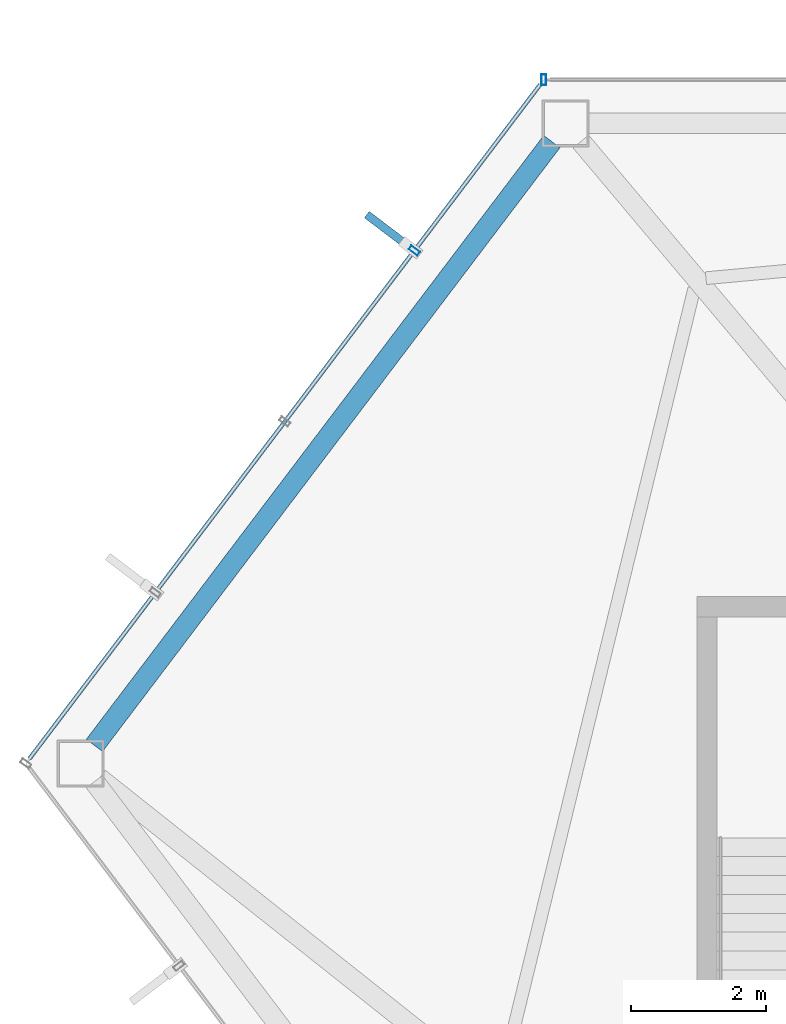
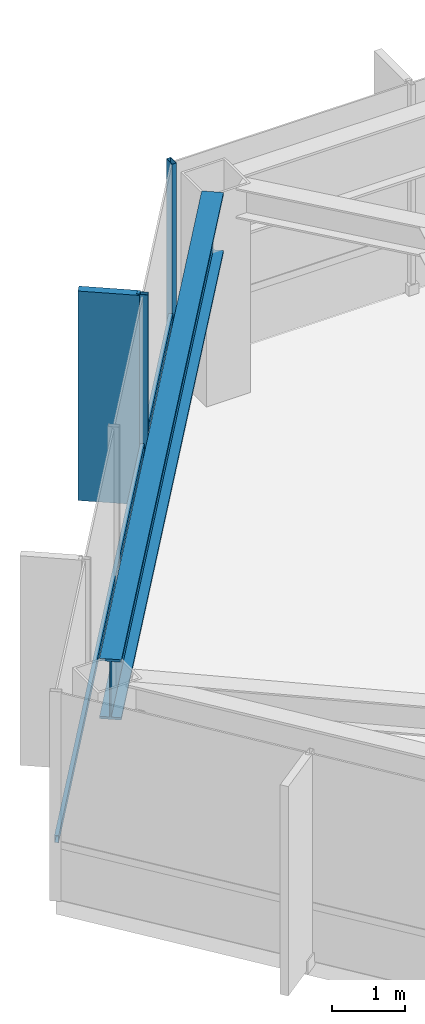
# One storey, part 11 of 27: 4 members, 1 beam, 2 elements without a shape of their own.
"""IFC4 building model written with IfcOpenShell, lengths in metres."""

from ifc_helpers import new_model, si_unit, direction, frame, origin, origin_2d, place, context, subcontext, project, spatial, rectangle, hollow_rectangle, i_section, extrude, material, layer, layer_set, material_profile, profile_set, type_object, element, aggregate, save


model = new_model("IFC4")

# Units and contexts
model_context = context("Model", 3, precision=1e-05, world=origin(), true_north=direction((0.0, 1.0)))
body_context = subcontext(model_context, "Body", "Model", "MODEL_VIEW")
ifc_project = project(units=[si_unit("LENGTHUNIT", "METRE"), si_unit("AREAUNIT", "SQUARE_METRE"), si_unit("VOLUMEUNIT", "CUBIC_METRE"), si_unit("PLANEANGLEUNIT", "RADIAN"), si_unit("MASSUNIT", "GRAM", prefix="KILO")], contexts=[model_context])

# Site, building, storey
site_placement = place(None, origin())
site = spatial("IfcSite", under=ifc_project, at=site_placement, CompositionType="ELEMENT")
building_placement = place(site_placement, origin())
building = spatial("IfcBuilding", under=site, at=building_placement, Name="Zarrinselat Tower", CompositionType="ELEMENT")
storey_placement = place(building_placement, frame((0.0, 0.0, 175.780029296875)))
storey = spatial("IfcBuildingStorey", under=building, at=storey_placement, Name="L43", CompositionType="ELEMENT", Elevation=175.780029296875)

# Beam
ifc_material_1 = material(Name="Steel S460M", Category="steel")
ifc_material_profile_1 = material_profile(ifc_material_1, i_section(OverallWidth=0.302001953125, OverallDepth=1.008056640625, WebThickness=0.02099609375, FlangeThickness=0.0400390625, at=origin_2d()), Name="HEM 1000")
ifc_profile_set_1 = profile_set([ifc_material_profile_1], Name="Steel S460M")
beam_type = type_object("IfcBeamType", Name="BM-HEM1000", PredefinedType="BEAM", material=ifc_profile_set_1)
beam_placement = place(storey_placement, frame((16.1396484375, 38.841064453125, 2.995849609375), z_axis=(0.60385308905, 0.797095632183, 0.0), x_axis=(-0.797095632183, 0.60385308905, 0.0)))
element("IfcBeam", 1, at=beam_placement, inside=storey, type_object=beam_type, Name="L43 Perimeter Spandrel Girder SP05", PredefinedType="BEAM", context=body_context, shape_type="SweptSolid", body=[
    extrude(i_section(OverallWidth=0.302001953125, OverallDepth=1.008056640625, WebThickness=0.02099609375, FlangeThickness=0.0400390625, at=origin_2d()), origin(), (0.0, 0.0, 1.0), 11.242919921875),
])

# Curtain wall, member
ifc_material_2 = material(Name="Extruded Aluminium Alloy EN AW-6063 T6", Category="aluminium")
ifc_layer = layer(ifc_material_2, 0.175048828125)
ifc_layer_set = layer_set([ifc_layer], Name="Extruded Aluminium Alloy EN AW-6063 T6")
curtain_wall_type = type_object("IfcCurtainWallType", Name="CWS-HTL", PredefinedType="NOTDEFINED", material=ifc_layer_set)
curtain_wall_1_placement = place(storey_placement, origin())
curtain_wall_1 = element("IfcCurtainWall", 2, at=curtain_wall_1_placement, inside=storey, type_object=curtain_wall_type, Name="L43 Unitised Curtain Wall CW-L43-E01", PredefinedType="NOTDEFINED")
ifc_material_3 = material(Name="Extruded Aluminium Alloy EN AW-6063 T6", Category="aluminium")
ifc_material_profile_2 = material_profile(ifc_material_3, hollow_rectangle(XDim=0.070068359375, YDim=0.159912109375, WallThickness=0.00390625, at=origin_2d()), Name="RHS 160x70x4")
ifc_profile_set_2 = profile_set([ifc_material_profile_2], Name="Extruded Aluminium Alloy EN AW-6063 T6")
member_type_1 = type_object("IfcMemberType", Name="MEM-CW-MUL2", PredefinedType="MULLION", material=ifc_profile_set_2)
member_1_placement = place(storey_placement, frame((22.809814453125, 48.72216796875, 0.0), z_axis=(0.0, 0.0, 1.0), x_axis=(-1.0, 0.0, 0.0)))
member_1 = element("IfcMember", 3, at=member_1_placement, type_object=member_type_1, Name="CW-L43-E01 Mullion 10", PredefinedType="MULLION", context=body_context, shape_type="SweptSolid", body=[
    extrude(hollow_rectangle(XDim=0.070068359375, YDim=0.159912109375, WallThickness=0.00390625, at=origin_2d()), origin(), (0.0, 0.0, 1.0), 3.5),
])
aggregate(curtain_wall_1, [member_1])

# Curtain wall, members
curtain_wall_2_placement = place(storey_placement, origin())
curtain_wall_2 = element("IfcCurtainWall", 4, at=curtain_wall_2_placement, inside=storey, type_object=curtain_wall_type, Name="L43 Unitised Curtain Wall CW-L43-E02", PredefinedType="NOTDEFINED")
member_2_placement = place(storey_placement, frame((20.887451171875, 46.1845703125, 0.0), z_axis=(0.0, 0.0, 1.0), x_axis=(-0.603859048702, -0.797091117314, 0.0)))
member_2 = element("IfcMember", 5, at=member_2_placement, type_object=member_type_1, Name="CW-L43-E02 Mullion 1", PredefinedType="MULLION", context=body_context, shape_type="SweptSolid", body=[
    extrude(hollow_rectangle(XDim=0.070068359375, YDim=0.159912109375, WallThickness=0.00390625, at=origin_2d()), origin(), (0.0, 0.0, 1.0), 3.5),
])
ifc_material_4 = material(Name="Extruded Aluminium Alloy EN AW-6063 T6", Category="aluminium")
ifc_material_profile_3 = material_profile(ifc_material_4, hollow_rectangle(XDim=0.06005859375, YDim=0.1201171875, WallThickness=0.00390625, at=origin_2d()), Name="RHS 120x60x4")
ifc_profile_set_3 = profile_set([ifc_material_profile_3], Name="Extruded Aluminium Alloy EN AW-6063 T6")
member_type_2 = type_object("IfcMemberType", Name="MEM-CW-TRN2", PredefinedType="USERDEFINED", material=ifc_profile_set_3)
member_3_placement = place(storey_placement, frame((22.755615234375, 48.650390625, 0.949951171875), z_axis=(-0.603866673656, -0.797085340756, 0.0), x_axis=(0.797085340756, -0.603866673656, 0.0)))
member_3 = element("IfcMember", 6, at=member_3_placement, type_object=member_type_2, Name="CW-L43-E02 Transom 1", ObjectType="TRANSOM", PredefinedType="USERDEFINED", context=body_context, shape_type="SweptSolid", body=[
    extrude(hollow_rectangle(XDim=0.06005859375, YDim=0.1201171875, WallThickness=0.00390625, at=origin_2d()), origin(), (0.0, 0.0, 1.0), 12.5546875),
])
ifc_material_5 = material(Name="Honed Cream Travertine Stone", Category="masonry")
ifc_material_profile_4 = material_profile(ifc_material_5, rectangle(XDim=0.1201171875, YDim=0.85009765625, at=origin_2d()), Name="FIN 850x120")
ifc_profile_set_4 = profile_set([ifc_material_profile_4], Name="Honed Cream Travertine Stone")
member_type_3 = type_object("IfcMemberType", Name="MEM-STONE-FIN", PredefinedType="USERDEFINED", material=ifc_profile_set_4)
member_4_placement = place(storey_placement, frame((20.520751953125, 46.46240234375, 0.0), z_axis=(0.0, 0.0, 1.0), x_axis=(0.603859048702, 0.797091117314, 0.0)))
member_4 = element("IfcMember", 7, at=member_4_placement, type_object=member_type_3, Name="L43 Stone Shading Fin CW-L43-E02-01", ObjectType="FIN", PredefinedType="USERDEFINED", context=body_context, shape_type="SweptSolid", body=[
    extrude(rectangle(XDim=0.1201171875, YDim=0.85009765625, at=origin_2d()), origin(), (0.0, 0.0, 1.0), 3.5),
])
aggregate(curtain_wall_2, [member_2, member_4, member_3])

save(model, "model.ifc")
